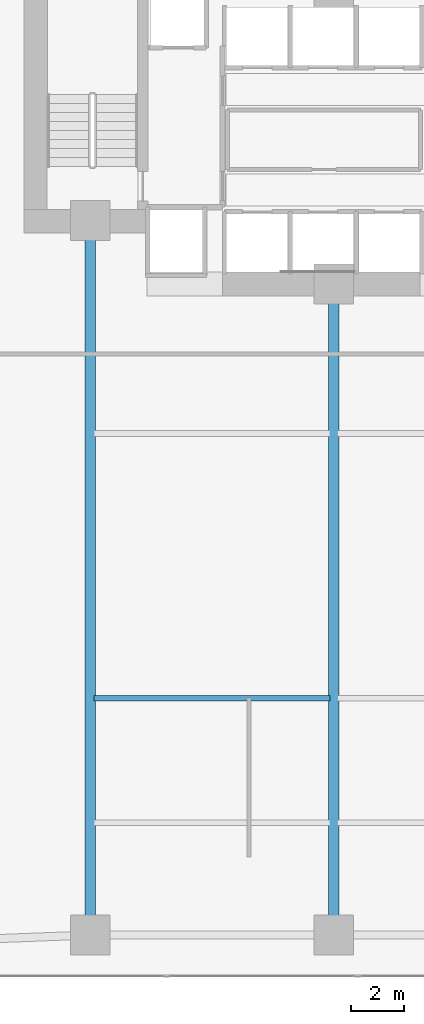
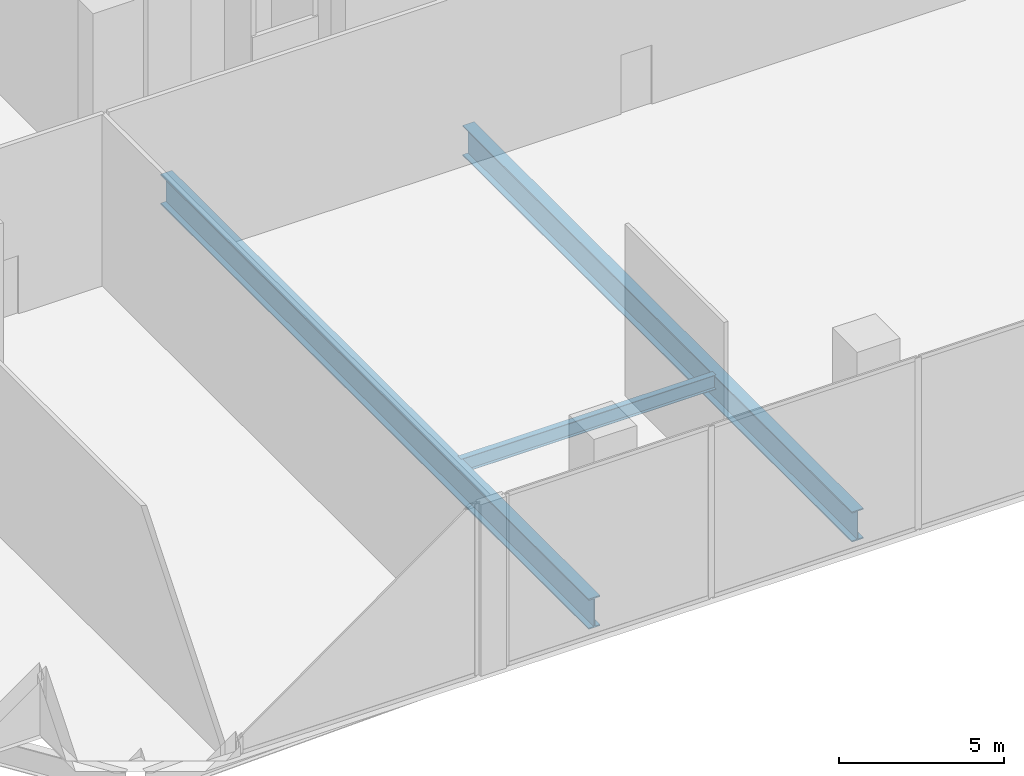
# One storey, part 5 of 30: 3 beams.
"""IFC4 building model written with IfcOpenShell, lengths in metres."""

from ifc_helpers import new_model, si_unit, direction, frame, origin, origin_2d, place, context, subcontext, project, spatial, i_section, extrude, material, material_profile, profile_set, type_object, element, save


model = new_model("IFC4")

# Units and contexts
model_context = context("Model", 3, precision=1e-05, world=origin(), true_north=direction((0.0, 1.0)))
body_context = subcontext(model_context, "Body", "Model", "MODEL_VIEW")
ifc_project = project(units=[si_unit("LENGTHUNIT", "METRE"), si_unit("AREAUNIT", "SQUARE_METRE"), si_unit("VOLUMEUNIT", "CUBIC_METRE"), si_unit("PLANEANGLEUNIT", "RADIAN"), si_unit("MASSUNIT", "GRAM", prefix="KILO")], contexts=[model_context])

# Site, building, storey
site_placement = place(None, origin())
site = spatial("IfcSite", under=ifc_project, at=site_placement, CompositionType="ELEMENT")
building_placement = place(site_placement, origin())
building = spatial("IfcBuilding", under=site, at=building_placement, Name="Zuhayl Quay Hotel", CompositionType="ELEMENT")
storey_placement = place(building_placement, frame((0.0, 0.0, 11.39990234375)))
storey = spatial("IfcBuildingStorey", under=building, at=storey_placement, Name="L02", CompositionType="ELEMENT", Elevation=11.39990234375)

# Beams
ifc_material_1 = material(Name="Steel ASTM A992 Grade 50", Category="steel")
ifc_material_profile_1 = material_profile(ifc_material_1, i_section(OverallWidth=0.208984375, OverallDepth=0.532958984375, WebThickness=0.01025390625, FlangeThickness=0.015625, at=origin_2d()), Name="W21X62")
ifc_profile_set_1 = profile_set([ifc_material_profile_1], Name="Steel ASTM A992 Grade 50")
beam_type_1 = type_object("IfcBeamType", Name="BM_J1_W21X62", PredefinedType="JOIST", material=ifc_profile_set_1)
beam_1_placement = place(storey_placement, frame((-13.654541015625, -13.5, -0.5263671875), z_axis=(1.0, 0.0, 0.0), x_axis=(0.0, 1.0, 0.0)))
element("IfcBeam", 1, at=beam_1_placement, inside=storey, type_object=beam_type_1, Name="L02 Floor Beam J_POD_L02_2_1", PredefinedType="JOIST", context=body_context, shape_type="SweptSolid", body=[
    extrude(i_section(OverallWidth=0.208984375, OverallDepth=0.532958984375, WebThickness=0.01025390625, FlangeThickness=0.015625, at=origin_2d()), origin(), (0.0, 0.0, 1.0), 8.908935546875),
])
ifc_material_2 = material(Name="Steel ASTM A913 Grade 65", Category="steel")
ifc_material_profile_2 = material_profile(ifc_material_2, i_section(OverallWidth=0.404052734375, OverallDepth=1.117919921875, WebThickness=0.026123046875, FlangeThickness=0.044921875, at=origin_2d()), Name="W44X335")
ifc_profile_set_2 = profile_set([ifc_material_profile_2], Name="Steel ASTM A913 Grade 65")
beam_type_2 = type_object("IfcBeamType", Name="BM_TG1_W44X335", PredefinedType="BEAM", material=ifc_profile_set_2)
beam_2_placement = place(storey_placement, frame((-13.800048828125, -21.929931640625, -0.81884765625), z_axis=(0.0, 1.0, 0.0), x_axis=(-1.0, 0.0, 0.0)))
element("IfcBeam", 2, at=beam_2_placement, inside=storey, type_object=beam_type_2, Name="L02 Floor Beam PG_NS_BALL_L02_1", PredefinedType="BEAM", context=body_context, shape_type="SweptSolid", body=[
    extrude(i_section(OverallWidth=0.404052734375, OverallDepth=1.117919921875, WebThickness=0.026123046875, FlangeThickness=0.044921875, at=origin_2d()), origin(), (0.0, 0.0, 1.0), 25.909912109375),
])
beam_3_placement = place(storey_placement, frame((-4.60009765625, -21.929931640625, -0.81884765625), z_axis=(0.0, 1.0, 0.0), x_axis=(-1.0, 0.0, 0.0)))
element("IfcBeam", 3, at=beam_3_placement, inside=storey, type_object=beam_type_2, Name="L02 Floor Beam PG_NS_BALL_L02_2", PredefinedType="BEAM", context=body_context, shape_type="SweptSolid", body=[
    extrude(i_section(OverallWidth=0.404052734375, OverallDepth=1.117919921875, WebThickness=0.026123046875, FlangeThickness=0.044921875, at=origin_2d()), origin(), (0.0, 0.0, 1.0), 23.559814453125),
])

save(model, "model.ifc")
